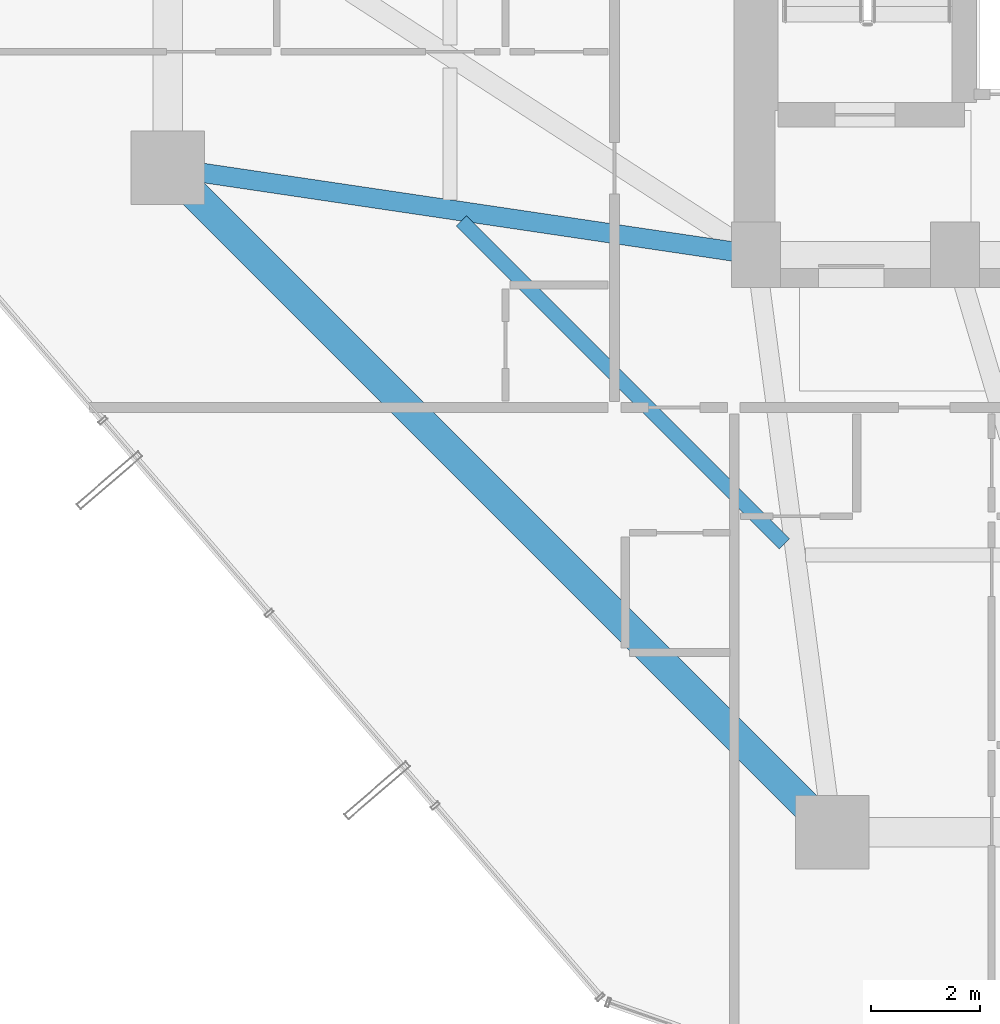
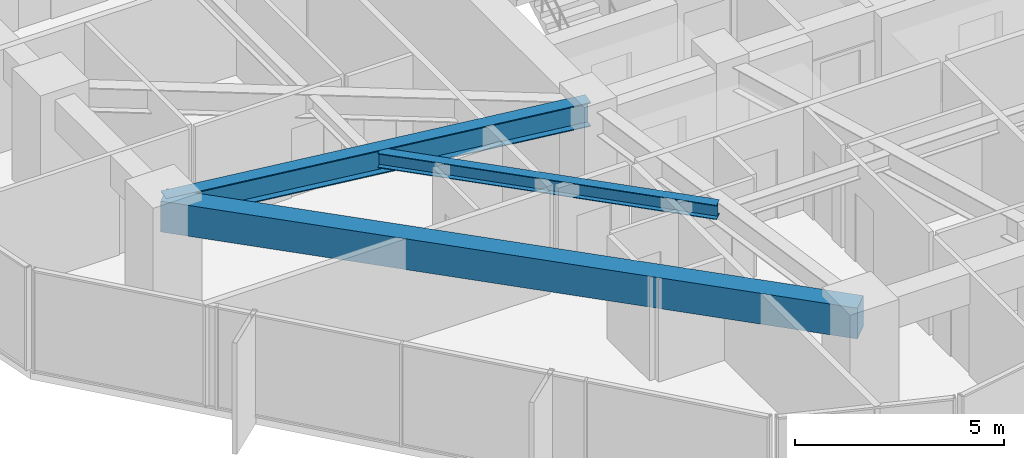
# One storey, part 5 of 38: 3 beams.
"""IFC4 building model written with IfcOpenShell, lengths in metres."""

from ifc_helpers import new_model, si_unit, direction, frame, origin, origin_2d, place, context, subcontext, project, spatial, rectangle, i_section, extrude, material, material_profile, profile_set, type_object, element, save


model = new_model("IFC4")

# Units and contexts
model_context = context("Model", 3, precision=1e-05, world=origin(), true_north=direction((0.0, 1.0)))
body_context = subcontext(model_context, "Body", "Model", "MODEL_VIEW")
ifc_project = project(units=[si_unit("LENGTHUNIT", "METRE"), si_unit("AREAUNIT", "SQUARE_METRE"), si_unit("VOLUMEUNIT", "CUBIC_METRE"), si_unit("PLANEANGLEUNIT", "RADIAN"), si_unit("MASSUNIT", "GRAM", prefix="KILO")], contexts=[model_context])

# Site, building, storey
site_placement = place(None, origin())
site = spatial("IfcSite", under=ifc_project, at=site_placement, CompositionType="ELEMENT")
building_placement = place(site_placement, origin())
building = spatial("IfcBuilding", under=site, at=building_placement, Name="Veraguas Prism Commons", CompositionType="ELEMENT")
storey_placement = place(building_placement, frame((0.0, 0.0, 60.85009765625)))
storey = spatial("IfcBuildingStorey", under=building, at=storey_placement, Name="L16", CompositionType="ELEMENT", Elevation=60.85009765625)

# Beams
ifc_material_1 = material(Name="Steel ASTM A992 Grade 50", Category="steel")
ifc_material_profile_1 = material_profile(ifc_material_1, i_section(OverallWidth=0.260986328125, OverallDepth=0.419921875, WebThickness=0.01171875, FlangeThickness=0.019287109375, at=origin_2d()), Name="W410X114")
ifc_profile_set_1 = profile_set([ifc_material_profile_1], Name="Steel ASTM A992 Grade 50")
beam_type_1 = type_object("IfcBeamType", Name="Lower Floor Joist W410x114", PredefinedType="JOIST", material=ifc_profile_set_1)
beam_1_placement = place(storey_placement, frame((11.79296875, 17.623046875, 2.789794921875), z_axis=(0.707092226423, -0.70712133565, 0.0), x_axis=(0.70712133565, 0.707092226423, 0.0)))
element("IfcBeam", 1, at=beam_1_placement, inside=storey, type_object=beam_type_1, Name="Composite Floor Joist L16-JS09", PredefinedType="JOIST", context=body_context, shape_type="SweptSolid", body=[
    extrude(i_section(OverallWidth=0.260986328125, OverallDepth=0.419921875, WebThickness=0.01171875, FlangeThickness=0.019287109375, at=origin_2d()), origin(), (0.0, 0.0, 1.0), 8.386962890625),
])
ifc_material_2 = material(Name="Concrete C50/60", Category="concrete")
ifc_material_profile_2 = material_profile(ifc_material_2, rectangle(XDim=0.550048828125, YDim=0.89990234375, at=origin_2d()), Name="RC550X900")
ifc_profile_set_2 = profile_set([ifc_material_profile_2], Name="Concrete C50/60")
beam_type_2 = type_object("IfcBeamType", Name="Perimeter Spandrel Lower RC 550x900", PredefinedType="SPANDREL", material=ifc_profile_set_2)
beam_2_placement = place(storey_placement, frame((6.39990234375, 18.60009765625, 2.5498046875), z_axis=(0.707106781187, -0.707106781187, 0.0), x_axis=(0.707106781187, 0.707106781187, 0.0)))
element("IfcBeam", 2, at=beam_2_placement, inside=storey, type_object=beam_type_2, Name="Perimeter Spandrel Beam L16-SP09", PredefinedType="SPANDREL", context=body_context, shape_type="SweptSolid", body=[
    extrude(rectangle(XDim=0.550048828125, YDim=0.89990234375, at=origin_2d()), origin(), (0.0, 0.0, 1.0), 17.253662109375),
])
ifc_material_profile_3 = material_profile(ifc_material_1, i_section(OverallWidth=0.35595703125, OverallDepth=0.700927734375, WebThickness=0.016845703125, FlangeThickness=0.02734375, at=origin_2d()), Name="W690X240")
ifc_profile_set_3 = profile_set([ifc_material_profile_3], Name="Steel ASTM A992 Grade 50")
beam_type_3 = type_object("IfcBeamType", Name="Zone 1 Radial Girder W690x240", PredefinedType="BEAM", material=ifc_profile_set_3)
beam_3_placement = place(storey_placement, frame((6.39990234375, 18.60009765625, 2.6494140625), z_axis=(0.989202261707, -0.146556765224, 0.0), x_axis=(0.146556765224, 0.989202261707, 0.0)))
element("IfcBeam", 3, at=beam_3_placement, inside=storey, type_object=beam_type_3, Name="Radial Floor Girder L16-RD09", PredefinedType="BEAM", context=body_context, shape_type="SweptSolid", body=[
    extrude(i_section(OverallWidth=0.35595703125, OverallDepth=0.700927734375, WebThickness=0.016845703125, FlangeThickness=0.02734375, at=origin_2d()), origin(), (0.0, 0.0, 1.0), 10.91796875),
])

save(model, "model.ifc")
